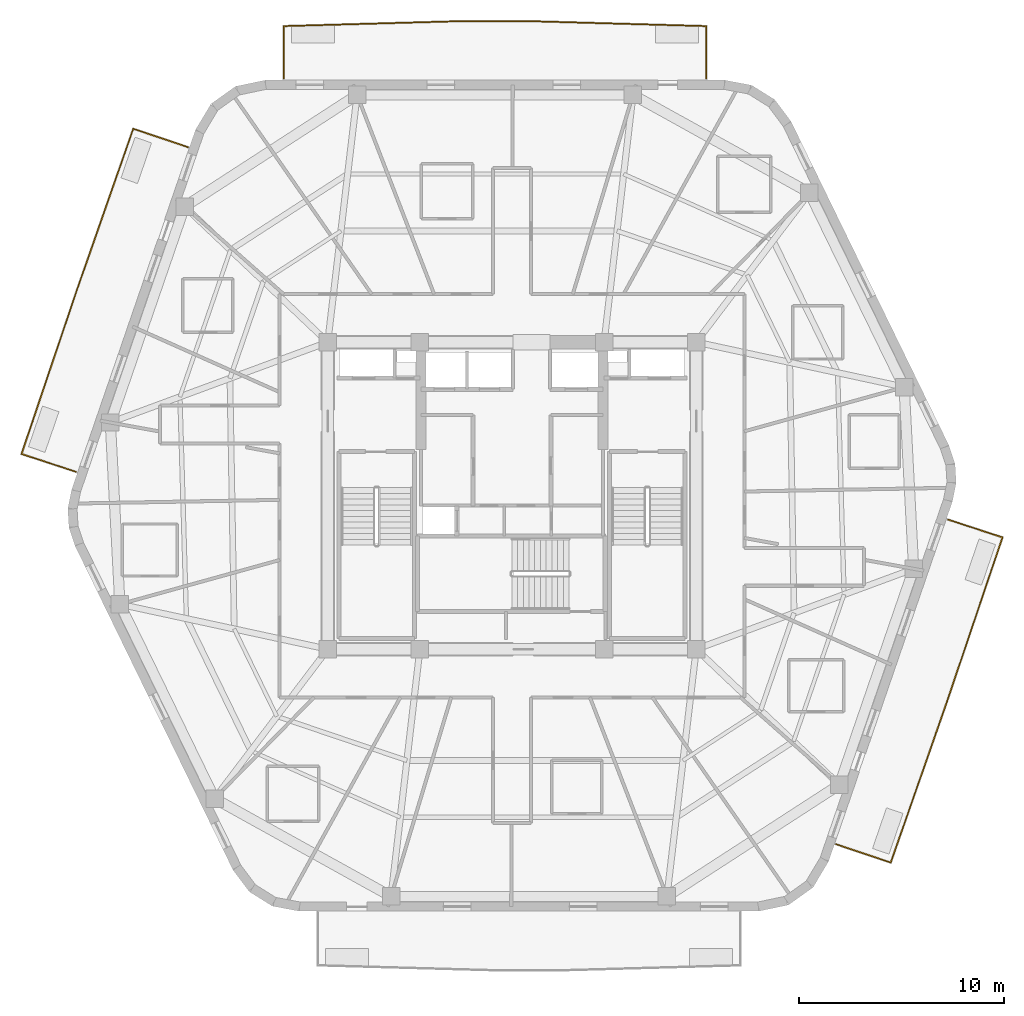
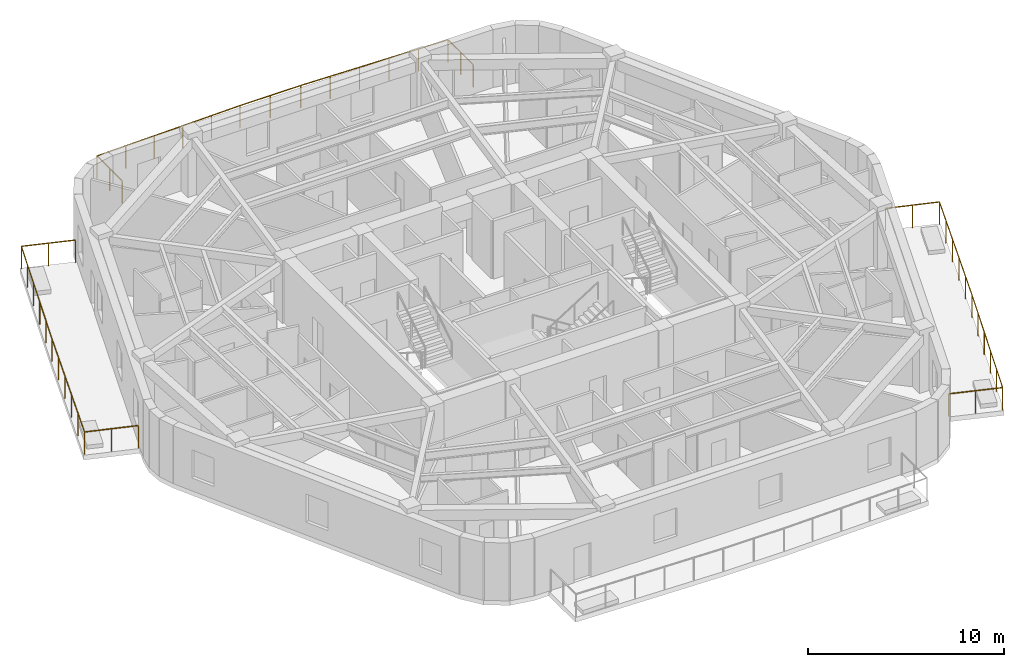
# One storey, part 9 of 9: 3 railings.
"""IFC4 building model written with IfcOpenShell, lengths in metres."""

from ifc_helpers import new_model, si_unit, direction, frame, origin, origin_2d, place, context, subcontext, project, spatial, rectangle, extrude, material, layer, layer_set, type_object, element, save


model = new_model("IFC4")

# Units and contexts
model_context = context("Model", 3, precision=1e-05, world=origin(), true_north=direction((0.0, 1.0)))
body_context = subcontext(model_context, "Body", "Model", "MODEL_VIEW")
ifc_project = project(units=[si_unit("LENGTHUNIT", "METRE"), si_unit("AREAUNIT", "SQUARE_METRE"), si_unit("VOLUMEUNIT", "CUBIC_METRE"), si_unit("PLANEANGLEUNIT", "RADIAN"), si_unit("MASSUNIT", "GRAM", prefix="KILO")], contexts=[model_context])

# Site, building, storey
site_placement = place(None, origin())
site = spatial("IfcSite", under=ifc_project, at=site_placement, CompositionType="ELEMENT")
building_placement = place(site_placement, origin())
building = spatial("IfcBuilding", under=site, at=building_placement, Name="Kilnhurst Terrace Hotel", CompositionType="ELEMENT")
storey_placement = place(building_placement, frame((0.0, 0.0, 265.199951171875)))
storey = spatial("IfcBuildingStorey", under=building, at=storey_placement, Name="L66", CompositionType="ELEMENT", Elevation=265.199951171875)

# Railings
ifc_material = material(Name="Laminated SentryGlas and Stainless Steel AISI 316L Balustrade", Category="steel")
ifc_layer = layer(ifc_material, 0.070068359375, Name="Laminated SentryGlas and Stainless Steel AISI 316L Balustrade")
ifc_layer_set = layer_set([ifc_layer], Name="Laminated SentryGlas and Stainless Steel AISI 316L Balustrade")
railing_type = type_object("IfcRailingType", Name="RLG-BAL-1420", PredefinedType="BALUSTRADE", material=ifc_layer_set)
railing_1_placement = place(storey_placement, frame((21.298828125, -1.166748046875, 0.0)))
element("IfcRailing", 1, at=railing_1_placement, inside=storey, type_object=railing_type, Name="L66 Exterior Terrace Guardrail BAL-L1B.1", PredefinedType="BALUSTRADE", context=body_context, shape_type="SweptSolid", body=[
    extrude(rectangle(XDim=0.048095703125, YDim=0.048095703125, at=origin_2d()), frame((0.0, 0.0, 1.39599609375), z_axis=(0.950394786916, -0.311046216827, 0.0), x_axis=(0.311046216827, 0.950394786916, 0.0)), (0.0, 0.0, 1.0), 2.80126953125),
    extrude(rectangle(XDim=0.048095703125, YDim=0.048095703125, at=origin_2d()), frame((2.662353515625, -0.871337890625, 1.39599609375), z_axis=(-0.319895813217, -0.94745272636, 0.0), x_axis=(0.94745272636, -0.319895813217, 0.0)), (0.0, 0.0, 1.0), 8.44091796875),
    extrude(rectangle(XDim=0.048095703125, YDim=0.048095703125, at=origin_2d()), frame((-0.037841796875, -8.86865234375, 1.39599609375), z_axis=(-0.329893619994, -0.944018113962, 0.0), x_axis=(0.944018113962, -0.329893619994, 0.0)), (0.0, 0.0, 1.0), 8.356689453125),
    extrude(rectangle(XDim=0.048095703125, YDim=0.048095703125, at=origin_2d()), frame((-2.794677734375, -16.757568359375, 1.39599609375), z_axis=(-0.948082201611, 0.318025374757, 0.0), x_axis=(-0.318025374757, -0.948082201611, 0.0)), (0.0, 0.0, 1.0), 2.810546875),
    extrude(rectangle(XDim=0.0419921875, YDim=0.0419921875, at=origin_2d()), origin(), (0.0, 0.0, 1.0), 1.371826171875),
    extrude(rectangle(XDim=0.0419921875, YDim=0.0419921875, at=origin_2d()), frame((1.3310546875, -0.435546875, 0.0)), (0.0, 0.0, 1.0), 1.371826171875),
    extrude(rectangle(XDim=0.0419921875, YDim=0.0419921875, at=origin_2d()), frame((2.662353515625, -0.871337890625, 0.0)), (0.0, 0.0, 1.0), 1.371826171875),
    extrude(rectangle(XDim=0.0419921875, YDim=0.0419921875, at=origin_2d()), frame((2.122314453125, -2.470703125, 0.0)), (0.0, 0.0, 1.0), 1.371826171875),
    extrude(rectangle(XDim=0.0419921875, YDim=0.0419921875, at=origin_2d()), frame((1.582275390625, -4.0703125, 0.0)), (0.0, 0.0, 1.0), 1.371826171875),
    extrude(rectangle(XDim=0.0419921875, YDim=0.0419921875, at=origin_2d()), frame((1.042236328125, -5.669677734375, 0.0)), (0.0, 0.0, 1.0), 1.371826171875),
    extrude(rectangle(XDim=0.0419921875, YDim=0.0419921875, at=origin_2d()), frame((0.502197265625, -7.269287109375, 0.0)), (0.0, 0.0, 1.0), 1.371826171875),
    extrude(rectangle(XDim=0.0419921875, YDim=0.0419921875, at=origin_2d()), frame((-0.037841796875, -8.86865234375, 0.0)), (0.0, 0.0, 1.0), 1.371826171875),
    extrude(rectangle(XDim=0.0419921875, YDim=0.0419921875, at=origin_2d()), frame((-0.589111328125, -10.446533203125, 0.0)), (0.0, 0.0, 1.0), 1.371826171875),
    extrude(rectangle(XDim=0.0419921875, YDim=0.0419921875, at=origin_2d()), frame((-1.140625, -12.024169921875, 0.0)), (0.0, 0.0, 1.0), 1.371826171875),
    extrude(rectangle(XDim=0.0419921875, YDim=0.0419921875, at=origin_2d()), frame((-1.69189453125, -13.60205078125, 0.0)), (0.0, 0.0, 1.0), 1.371826171875),
    extrude(rectangle(XDim=0.0419921875, YDim=0.0419921875, at=origin_2d()), frame((-2.243408203125, -15.1796875, 0.0)), (0.0, 0.0, 1.0), 1.371826171875),
    extrude(rectangle(XDim=0.0419921875, YDim=0.0419921875, at=origin_2d()), frame((-2.794677734375, -16.757568359375, 0.0)), (0.0, 0.0, 1.0), 1.371826171875),
    extrude(rectangle(XDim=0.0419921875, YDim=0.0419921875, at=origin_2d()), frame((-4.126953125, -16.310546875, 0.0)), (0.0, 0.0, 1.0), 1.371826171875),
    extrude(rectangle(XDim=0.0419921875, YDim=0.0419921875, at=origin_2d()), frame((-5.459228515625, -15.86376953125, 0.0)), (0.0, 0.0, 1.0), 1.371826171875),
])
railing_2_placement = place(storey_placement, frame((-11.151611328125, 20.3798828125, 0.0)))
element("IfcRailing", 2, at=railing_2_placement, inside=storey, type_object=railing_type, Name="L66 Exterior Terrace Guardrail BAL-L2A.1", PredefinedType="BALUSTRADE", context=body_context, shape_type="SweptSolid", body=[
    extrude(rectangle(XDim=0.048095703125, YDim=0.048095703125, at=origin_2d()), frame((0.0, 0.0, 1.39599609375), z_axis=(0.0, 1.0, 0.0), x_axis=(-1.0, 0.0, 0.0)), (0.0, 0.0, 1.0), 2.561767578125),
    extrude(rectangle(XDim=0.048095703125, YDim=0.048095703125, at=origin_2d()), frame((0.0, 2.561767578125, 1.39599609375), z_axis=(0.999610218954, 0.027917918323, 0.0), x_axis=(-0.027917918323, 0.999610218954, 0.0)), (0.0, 0.0, 1.0), 8.53515625),
    extrude(rectangle(XDim=0.048095703125, YDim=0.048095703125, at=origin_2d()), frame((8.53173828125, 2.800048828125, 1.39599609375), z_axis=(1.0, 0.0, 0.0), x_axis=(0.0, 1.0, 0.0)), (0.0, 0.0, 1.0), 3.577880859375),
    extrude(rectangle(XDim=0.048095703125, YDim=0.048095703125, at=origin_2d()), frame((12.109619140625, 2.800048828125, 1.39599609375), z_axis=(0.999610218954, -0.027917918323, 0.0), x_axis=(0.027917918323, 0.999610218954, 0.0)), (0.0, 0.0, 1.0), 8.53515625),
    extrude(rectangle(XDim=0.048095703125, YDim=0.048095703125, at=origin_2d()), frame((20.641357421875, 2.561767578125, 1.39599609375), z_axis=(0.0, -1.0, 0.0), x_axis=(1.0, 0.0, 0.0)), (0.0, 0.0, 1.0), 2.561767578125),
    extrude(rectangle(XDim=0.0419921875, YDim=0.0419921875, at=origin_2d()), origin(), (0.0, 0.0, 1.0), 1.371826171875),
    extrude(rectangle(XDim=0.0419921875, YDim=0.0419921875, at=origin_2d()), frame((0.0, 1.28076171875, 0.0)), (0.0, 0.0, 1.0), 1.371826171875),
    extrude(rectangle(XDim=0.0419921875, YDim=0.0419921875, at=origin_2d()), frame((0.0, 2.561767578125, 0.0)), (0.0, 0.0, 1.0), 1.371826171875),
    extrude(rectangle(XDim=0.0419921875, YDim=0.0419921875, at=origin_2d()), frame((1.706298828125, 2.609375, 0.0)), (0.0, 0.0, 1.0), 1.371826171875),
    extrude(rectangle(XDim=0.0419921875, YDim=0.0419921875, at=origin_2d()), frame((3.41259765625, 2.656982421875, 0.0)), (0.0, 0.0, 1.0), 1.371826171875),
    extrude(rectangle(XDim=0.0419921875, YDim=0.0419921875, at=origin_2d()), frame((5.119140625, 2.704833984375, 0.0)), (0.0, 0.0, 1.0), 1.371826171875),
    extrude(rectangle(XDim=0.0419921875, YDim=0.0419921875, at=origin_2d()), frame((6.825439453125, 2.75244140625, 0.0)), (0.0, 0.0, 1.0), 1.371826171875),
    extrude(rectangle(XDim=0.0419921875, YDim=0.0419921875, at=origin_2d()), frame((8.53173828125, 2.800048828125, 0.0)), (0.0, 0.0, 1.0), 1.371826171875),
    extrude(rectangle(XDim=0.0419921875, YDim=0.0419921875, at=origin_2d()), frame((10.32080078125, 2.800048828125, 0.0)), (0.0, 0.0, 1.0), 1.371826171875),
    extrude(rectangle(XDim=0.0419921875, YDim=0.0419921875, at=origin_2d()), frame((12.109619140625, 2.800048828125, 0.0)), (0.0, 0.0, 1.0), 1.371826171875),
    extrude(rectangle(XDim=0.0419921875, YDim=0.0419921875, at=origin_2d()), frame((13.81591796875, 2.75244140625, 0.0)), (0.0, 0.0, 1.0), 1.371826171875),
    extrude(rectangle(XDim=0.0419921875, YDim=0.0419921875, at=origin_2d()), frame((15.522216796875, 2.704833984375, 0.0)), (0.0, 0.0, 1.0), 1.371826171875),
    extrude(rectangle(XDim=0.0419921875, YDim=0.0419921875, at=origin_2d()), frame((17.228759765625, 2.656982421875, 0.0)), (0.0, 0.0, 1.0), 1.371826171875),
    extrude(rectangle(XDim=0.0419921875, YDim=0.0419921875, at=origin_2d()), frame((18.93505859375, 2.609375, 0.0)), (0.0, 0.0, 1.0), 1.371826171875),
    extrude(rectangle(XDim=0.0419921875, YDim=0.0419921875, at=origin_2d()), frame((20.641357421875, 2.561767578125, 0.0)), (0.0, 0.0, 1.0), 1.371826171875),
    extrude(rectangle(XDim=0.0419921875, YDim=0.0419921875, at=origin_2d()), frame((20.641357421875, 1.28076171875, 0.0)), (0.0, 0.0, 1.0), 1.371826171875),
    extrude(rectangle(XDim=0.0419921875, YDim=0.0419921875, at=origin_2d()), frame((20.641357421875, 0.0, 0.0)), (0.0, 0.0, 1.0), 1.371826171875),
])
railing_3_placement = place(storey_placement, frame((-21.298828125, 1.166748046875, 0.0)))
element("IfcRailing", 3, at=railing_3_placement, inside=storey, type_object=railing_type, Name="L66 Exterior Terrace Guardrail BAL-L2B.1", PredefinedType="BALUSTRADE", context=body_context, shape_type="SweptSolid", body=[
    extrude(rectangle(XDim=0.048095703125, YDim=0.048095703125, at=origin_2d()), frame((0.0, 0.0, 1.39599609375), z_axis=(-0.950394786916, 0.311046216827, 0.0), x_axis=(-0.311046216827, -0.950394786916, 0.0)), (0.0, 0.0, 1.0), 2.80126953125),
    extrude(rectangle(XDim=0.048095703125, YDim=0.048095703125, at=origin_2d()), frame((-2.662353515625, 0.871337890625, 1.39599609375), z_axis=(0.319895813217, 0.94745272636, 0.0), x_axis=(-0.94745272636, 0.319895813217, 0.0)), (0.0, 0.0, 1.0), 8.44091796875),
    extrude(rectangle(XDim=0.048095703125, YDim=0.048095703125, at=origin_2d()), frame((0.037841796875, 8.86865234375, 1.39599609375), z_axis=(0.329893619994, 0.944018113962, 0.0), x_axis=(-0.944018113962, 0.329893619994, 0.0)), (0.0, 0.0, 1.0), 8.356689453125),
    extrude(rectangle(XDim=0.048095703125, YDim=0.048095703125, at=origin_2d()), frame((2.794677734375, 16.757568359375, 1.39599609375), z_axis=(0.948082201611, -0.318025374757, 0.0), x_axis=(0.318025374757, 0.948082201611, 0.0)), (0.0, 0.0, 1.0), 2.810546875),
    extrude(rectangle(XDim=0.0419921875, YDim=0.0419921875, at=origin_2d()), origin(), (0.0, 0.0, 1.0), 1.371826171875),
    extrude(rectangle(XDim=0.0419921875, YDim=0.0419921875, at=origin_2d()), frame((-1.3310546875, 0.435546875, 0.0)), (0.0, 0.0, 1.0), 1.371826171875),
    extrude(rectangle(XDim=0.0419921875, YDim=0.0419921875, at=origin_2d()), frame((-2.662353515625, 0.871337890625, 0.0)), (0.0, 0.0, 1.0), 1.371826171875),
    extrude(rectangle(XDim=0.0419921875, YDim=0.0419921875, at=origin_2d()), frame((-2.122314453125, 2.470703125, 0.0)), (0.0, 0.0, 1.0), 1.371826171875),
    extrude(rectangle(XDim=0.0419921875, YDim=0.0419921875, at=origin_2d()), frame((-1.582275390625, 4.0703125, 0.0)), (0.0, 0.0, 1.0), 1.371826171875),
    extrude(rectangle(XDim=0.0419921875, YDim=0.0419921875, at=origin_2d()), frame((-1.042236328125, 5.669677734375, 0.0)), (0.0, 0.0, 1.0), 1.371826171875),
    extrude(rectangle(XDim=0.0419921875, YDim=0.0419921875, at=origin_2d()), frame((-0.502197265625, 7.269287109375, 0.0)), (0.0, 0.0, 1.0), 1.371826171875),
    extrude(rectangle(XDim=0.0419921875, YDim=0.0419921875, at=origin_2d()), frame((0.037841796875, 8.86865234375, 0.0)), (0.0, 0.0, 1.0), 1.371826171875),
    extrude(rectangle(XDim=0.0419921875, YDim=0.0419921875, at=origin_2d()), frame((0.589111328125, 10.446533203125, 0.0)), (0.0, 0.0, 1.0), 1.371826171875),
    extrude(rectangle(XDim=0.0419921875, YDim=0.0419921875, at=origin_2d()), frame((1.140625, 12.024169921875, 0.0)), (0.0, 0.0, 1.0), 1.371826171875),
    extrude(rectangle(XDim=0.0419921875, YDim=0.0419921875, at=origin_2d()), frame((1.69189453125, 13.60205078125, 0.0)), (0.0, 0.0, 1.0), 1.371826171875),
    extrude(rectangle(XDim=0.0419921875, YDim=0.0419921875, at=origin_2d()), frame((2.243408203125, 15.1796875, 0.0)), (0.0, 0.0, 1.0), 1.371826171875),
    extrude(rectangle(XDim=0.0419921875, YDim=0.0419921875, at=origin_2d()), frame((2.794677734375, 16.757568359375, 0.0)), (0.0, 0.0, 1.0), 1.371826171875),
    extrude(rectangle(XDim=0.0419921875, YDim=0.0419921875, at=origin_2d()), frame((4.126953125, 16.310546875, 0.0)), (0.0, 0.0, 1.0), 1.371826171875),
    extrude(rectangle(XDim=0.0419921875, YDim=0.0419921875, at=origin_2d()), frame((5.459228515625, 15.86376953125, 0.0)), (0.0, 0.0, 1.0), 1.371826171875),
])

save(model, "model.ifc")
